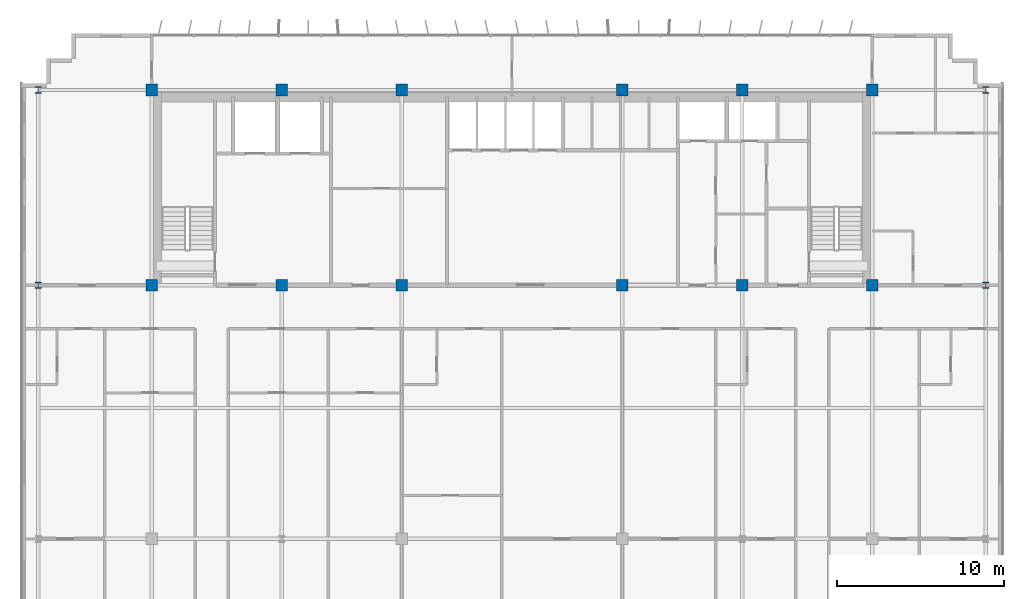
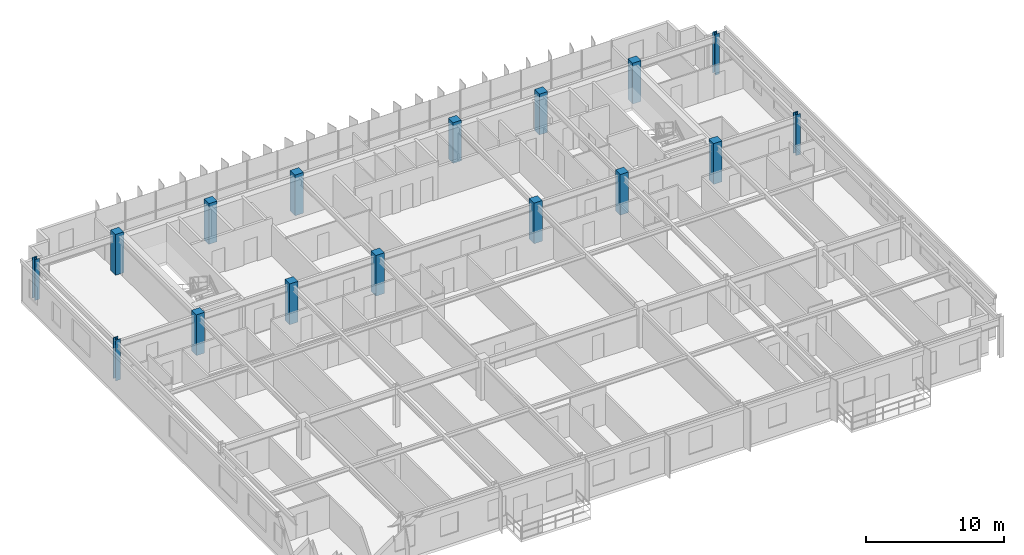
# One storey, part 2 of 21: 16 columns.
"""IFC4 building model written with IfcOpenShell, lengths in metres."""

from ifc_helpers import new_model, si_unit, direction, frame, origin, origin_2d, place, context, subcontext, project, spatial, rectangle, i_section, extrude, source, transform, mapped, material, material_profile, profile_set, type_object, element, save


model = new_model("IFC4")

# Units and contexts
model_context = context("Model", 3, precision=1e-05, world=origin(), true_north=direction((0.0, 1.0)))
body_context = subcontext(model_context, "Body", "Model", "MODEL_VIEW")
ifc_project = project(units=[si_unit("LENGTHUNIT", "METRE"), si_unit("AREAUNIT", "SQUARE_METRE"), si_unit("VOLUMEUNIT", "CUBIC_METRE"), si_unit("PLANEANGLEUNIT", "RADIAN"), si_unit("MASSUNIT", "GRAM", prefix="KILO")], contexts=[model_context])

# Site, building, storey
site_placement = place(None, origin())
site = spatial("IfcSite", under=ifc_project, at=site_placement, CompositionType="ELEMENT")
building_placement = place(site_placement, origin())
building = spatial("IfcBuilding", under=site, at=building_placement, Name="Trelvane Seafront Commons", CompositionType="ELEMENT")
storey_placement = place(building_placement, frame((0.0, 0.0, 160.89990234375)))
storey = spatial("IfcBuildingStorey", under=building, at=storey_placement, Name="L42", CompositionType="ELEMENT", Elevation=160.89990234375)

# Columns
ifc_material_1 = material(Name="Steel SM355 (S355)", Category="steel")
ifc_material_profile_1 = material_profile(ifc_material_1, i_section(OverallWidth=0.3798828125, OverallDepth=0.3798828125, WebThickness=0.02001953125, FlangeThickness=0.030029296875, at=origin_2d()), Name="HD-380x380x20x30")
ifc_profile_set_1 = profile_set([ifc_material_profile_1], Name="Steel SM355 (S355)")
column_type_1 = type_object("IfcColumnType", Name="STR-COL-HD380", PredefinedType="COLUMN", material=ifc_profile_set_1)
shared_shape_1 = source(origin(), body_context, "Body", "SweptSolid", [
    extrude(i_section(OverallWidth=0.3798828125, OverallDepth=0.3798828125, WebThickness=0.02001953125, FlangeThickness=0.030029296875, at=origin_2d()), origin(), (0.0, 0.0, 1.0), 3.60009765625),
])
for number, where, z_axis, x_axis, name in (
    (1, (8.800048828125, 33.39990234375, 0.0), (0.0, 0.0, 1.0), (1.0, 0.0, 0.0), "L42 Column TC-CS8.8"),
    (2, (8.800048828125, 45.10009765625, 0.0), (0.0, 0.0, 1.0), (1.0, 0.0, 0.0), "L42 Column TC-CN8.8"),
    (3, (65.60009765625, 33.39990234375, 0.0), (0.0, 0.0, 1.0), (1.0, 0.0, 0.0), "L42 Column TC-CS65.6"),
    (4, (65.60009765625, 45.10009765625, 0.0), (0.0, 0.0, 1.0), (1.0, 0.0, 0.0), "L42 Column TC-CN65.6"),
):
    element("IfcColumn", number, at=place(storey_placement, frame(where, z_axis=z_axis, x_axis=x_axis)), inside=storey, type_object=column_type_1, Name=name, PredefinedType="COLUMN", context=body_context, shape_type="MappedRepresentation", body=[
        mapped(shared_shape_1, transform((0.0, 0.0, 0.0), x_axis=(1.0, 0.0, 0.0), y_axis=(0.0, 1.0, 0.0), z_axis=(0.0, 0.0, 1.0), scale=1.0)),
    ])
ifc_material_2 = material(Name="Concrete C50/60", Category="concrete")
ifc_material_profile_2 = material_profile(ifc_material_2, rectangle(XDim=0.699951171875, YDim=0.699951171875, at=origin_2d()), Name="RC-700x700")
ifc_profile_set_2 = profile_set([ifc_material_profile_2], Name="Concrete C50/60")
column_type_2 = type_object("IfcColumnType", Name="STR-COL-RC700", PredefinedType="COLUMN", material=ifc_profile_set_2)
shared_shape_2 = source(origin(), body_context, "Body", "SweptSolid", [
    extrude(rectangle(XDim=0.699951171875, YDim=0.699951171875, at=origin_2d()), origin(), (0.0, 0.0, 1.0), 3.60009765625),
])
for number, where, z_axis, x_axis, name in (
    (5, (15.60009765625, 33.39990234375, 0.0), (0.0, 0.0, 1.0), (1.0, 0.0, 0.0), "L42 Column TC-CS15.6"),
    (6, (15.60009765625, 45.10009765625, 0.0), (0.0, 0.0, 1.0), (1.0, 0.0, 0.0), "L42 Column TC-CN15.6"),
    (7, (23.39990234375, 33.39990234375, 0.0), (0.0, 0.0, 1.0), (1.0, 0.0, 0.0), "L42 Column TC-CS23.4"),
    (8, (23.39990234375, 45.10009765625, 0.0), (0.0, 0.0, 1.0), (1.0, 0.0, 0.0), "L42 Column TC-CN23.4"),
    (9, (30.60009765625, 33.39990234375, 0.0), (0.0, 0.0, 1.0), (1.0, 0.0, 0.0), "L42 Column TC-CS30.6"),
    (10, (30.60009765625, 45.10009765625, 0.0), (0.0, 0.0, 1.0), (1.0, 0.0, 0.0), "L42 Column TC-CN30.6"),
    (11, (43.800048828125, 33.39990234375, 0.0), (0.0, 0.0, 1.0), (1.0, 0.0, 0.0), "L42 Column TC-CS43.8"),
    (12, (43.800048828125, 45.10009765625, 0.0), (0.0, 0.0, 1.0), (1.0, 0.0, 0.0), "L42 Column TC-CN43.8"),
    (13, (51.0, 33.39990234375, 0.0), (0.0, 0.0, 1.0), (1.0, 0.0, 0.0), "L42 Column TC-CS51.0"),
    (14, (51.0, 45.10009765625, 0.0), (0.0, 0.0, 1.0), (1.0, 0.0, 0.0), "L42 Column TC-CN51.0"),
    (15, (58.800048828125, 33.39990234375, 0.0), (0.0, 0.0, 1.0), (1.0, 0.0, 0.0), "L42 Column TC-CS58.8"),
    (16, (58.800048828125, 45.10009765625, 0.0), (0.0, 0.0, 1.0), (1.0, 0.0, 0.0), "L42 Column TC-CN58.8"),
):
    element("IfcColumn", number, at=place(storey_placement, frame(where, z_axis=z_axis, x_axis=x_axis)), inside=storey, type_object=column_type_2, Name=name, PredefinedType="COLUMN", context=body_context, shape_type="MappedRepresentation", body=[
        mapped(shared_shape_2, transform((0.0, 0.0, 0.0), x_axis=(1.0, 0.0, 0.0), y_axis=(0.0, 1.0, 0.0), z_axis=(0.0, 0.0, 1.0), scale=1.0)),
    ])

save(model, "model.ifc")
